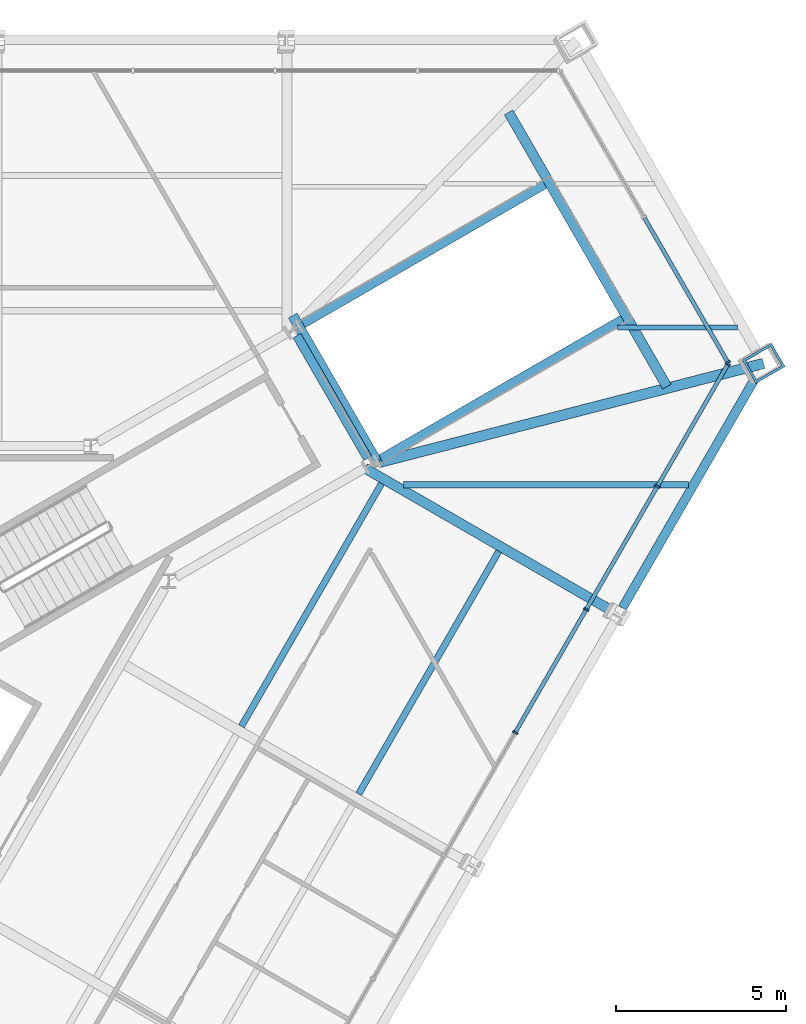
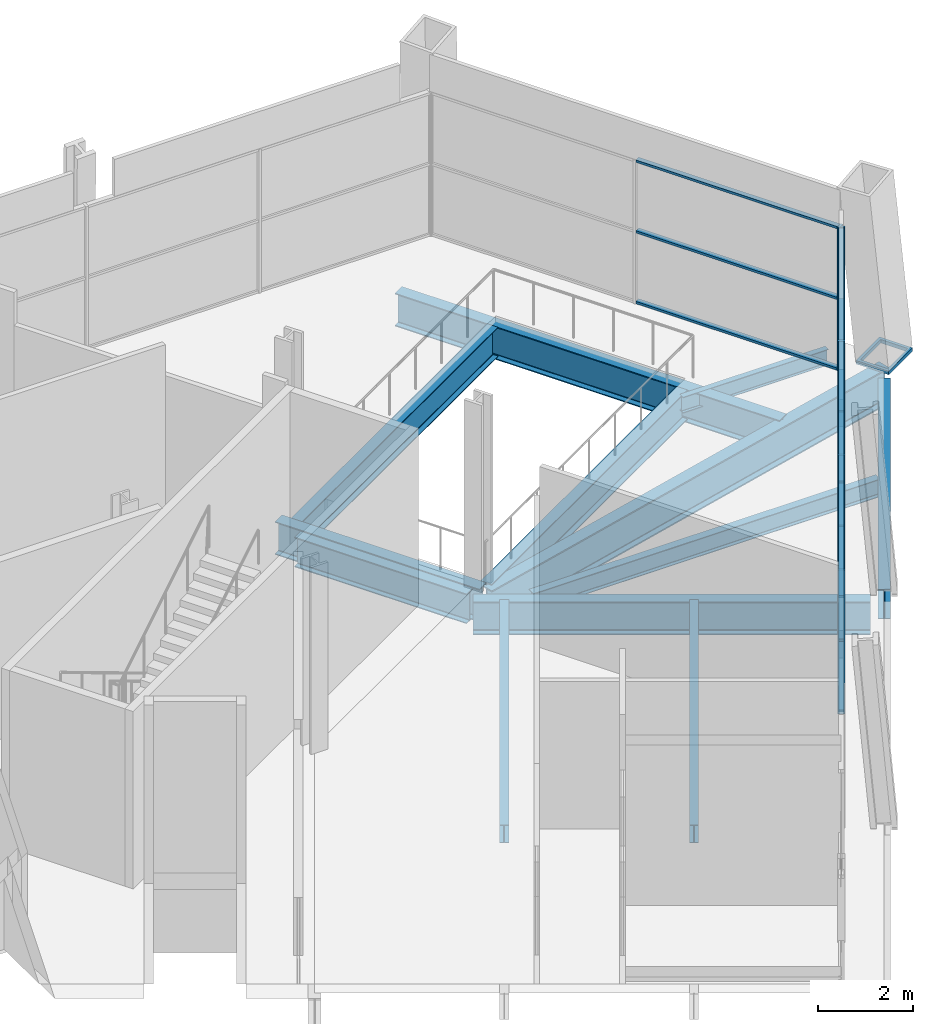
# One storey, part 9 of 18: 18 members, 12 beams, 2 elements without a shape of their own.
"""IFC4 building model written with IfcOpenShell, lengths in metres."""

from ifc_helpers import new_model, si_unit, direction, frame, origin, origin_2d, place, context, subcontext, project, spatial, rectangle, hollow_rectangle, i_section, extrude, material, layer, layer_set, material_profile, profile_set, type_object, element, aggregate, save


model = new_model("IFC4")

# Units and contexts
model_context = context("Model", 3, precision=1e-05, world=origin(), true_north=direction((0.0, 1.0)))
body_context = subcontext(model_context, "Body", "Model", "MODEL_VIEW")
ifc_project = project(units=[si_unit("LENGTHUNIT", "METRE"), si_unit("AREAUNIT", "SQUARE_METRE"), si_unit("VOLUMEUNIT", "CUBIC_METRE"), si_unit("PLANEANGLEUNIT", "RADIAN"), si_unit("MASSUNIT", "GRAM", prefix="KILO")], contexts=[model_context])

# Site, building, storey
site_placement = place(None, origin())
site = spatial("IfcSite", under=ifc_project, at=site_placement, CompositionType="ELEMENT")
building_placement = place(site_placement, origin())
building = spatial("IfcBuilding", under=site, at=building_placement, Name="Verrane Prism Tower", CompositionType="ELEMENT")
storey_placement = place(building_placement, frame((0.0, 0.0, 32.0)))
storey = spatial("IfcBuildingStorey", under=building, at=storey_placement, Name="L05", CompositionType="ELEMENT", Elevation=32.0)

# Curtain wall, member
ifc_material_1 = material(Name="Aluminium and glass curtain wall", Category="aluminium")
ifc_layer = layer(ifc_material_1, 0.199951171875)
ifc_layer_set = layer_set([ifc_layer], Name="CWB-1 retail curtain wall")
curtain_wall_type = type_object("IfcCurtainWallType", Name="CWB-1 retail curtain wall", PredefinedType="NOTDEFINED", material=ifc_layer_set)
curtain_wall_1_placement = place(storey_placement, origin())
curtain_wall_1 = element("IfcCurtainWall", 1, at=curtain_wall_1_placement, inside=storey, type_object=curtain_wall_type, Name="Retail curtain wall L05 1", PredefinedType="NOTDEFINED")
ifc_material_2 = material(Name="Aluminium", Category="aluminium")
ifc_material_profile_1 = material_profile(ifc_material_2, rectangle(XDim=0.159912109375, YDim=0.06005859375, at=origin_2d()), Name="CWB-M 60x160 mullion")
ifc_profile_set_1 = profile_set([ifc_material_profile_1], Name="Aluminium")
member_type_1 = type_object("IfcMemberType", Name="CWB-M 60x160 mullion", PredefinedType="MULLION", material=ifc_profile_set_1)
member_1_placement = place(storey_placement, frame((30.11328125, 11.669677734375, 0.0), z_axis=(0.0, 0.0, 1.0), x_axis=(-0.866025871, -0.499999190758, 0.0)))
member_1 = element("IfcMember", 2, at=member_1_placement, type_object=member_type_1, Name="CWB51 mullion 1", PredefinedType="MULLION", context=body_context, shape_type="SweptSolid", body=[
    extrude(rectangle(XDim=0.159912109375, YDim=0.06005859375, at=origin_2d()), origin(), (0.0, 0.0, 1.0), 3.68994140625),
])

# Curtain wall, members
curtain_wall_2_placement = place(storey_placement, origin())
curtain_wall_2 = element("IfcCurtainWall", 3, at=curtain_wall_2_placement, inside=storey, type_object=curtain_wall_type, Name="Retail curtain wall L05 6", PredefinedType="NOTDEFINED")
member_2_placement = place(storey_placement, frame((23.84130859375, 0.75439453125, 0.0), z_axis=(0.0, 0.0, 1.0), x_axis=(-0.866025335097, 0.50000011897, 0.0)))
member_2 = element("IfcMember", 4, at=member_2_placement, type_object=member_type_1, Name="CWB56 mullion 10", PredefinedType="MULLION", context=body_context, shape_type="SweptSolid", body=[
    extrude(rectangle(XDim=0.159912109375, YDim=0.06005859375, at=origin_2d()), origin(), (0.0, 0.0, 1.0), 3.68994140625),
])
member_3_placement = place(storey_placement, frame((25.93701171875, 4.384033203125, 0.0), z_axis=(0.0, 0.0, 1.0), x_axis=(-0.866025335097, 0.50000011897, 0.0)))
member_3 = element("IfcMember", 5, at=member_3_placement, type_object=member_type_1, Name="CWB56 mullion 11", PredefinedType="MULLION", context=body_context, shape_type="SweptSolid", body=[
    extrude(rectangle(XDim=0.159912109375, YDim=0.06005859375, at=origin_2d()), origin(), (0.0, 0.0, 1.0), 3.68994140625),
])
member_4_placement = place(storey_placement, frame((28.03271484375, 8.013916015625, 0.0), z_axis=(0.0, 0.0, 1.0), x_axis=(-0.866025335097, 0.50000011897, 0.0)))
member_4 = element("IfcMember", 6, at=member_4_placement, type_object=member_type_1, Name="CWB56 mullion 12", PredefinedType="MULLION", context=body_context, shape_type="SweptSolid", body=[
    extrude(rectangle(XDim=0.159912109375, YDim=0.06005859375, at=origin_2d()), origin(), (0.0, 0.0, 1.0), 3.68994140625),
])
member_5_placement = place(storey_placement, frame((30.11328125, 11.61767578125, 0.0), z_axis=(0.0, 0.0, 1.0), x_axis=(-0.866025335097, 0.50000011897, 0.0)))
member_5 = element("IfcMember", 7, at=member_5_placement, type_object=member_type_1, Name="CWB56 mullion 13", PredefinedType="MULLION", context=body_context, shape_type="SweptSolid", body=[
    extrude(rectangle(XDim=0.159912109375, YDim=0.06005859375, at=origin_2d()), origin(), (0.0, 0.0, 1.0), 3.68994140625),
])

# Member
ifc_material_3 = material(Name="Aluminium", Category="aluminium")
ifc_material_profile_2 = material_profile(ifc_material_3, rectangle(XDim=0.1201171875, YDim=0.06005859375, at=origin_2d()), Name="CWB-T 60x120 transom")
ifc_profile_set_2 = profile_set([ifc_material_profile_2], Name="Aluminium")
member_type_2 = type_object("IfcMemberType", Name="CWB-T 60x120 transom", PredefinedType="USERDEFINED", material=ifc_profile_set_2)
member_6_placement = place(storey_placement, frame((30.098388671875, 11.695556640625, 0.030029296875), z_axis=(-0.500004774777, 0.866022647048, 0.0), x_axis=(-0.866022647048, -0.500004774777, 0.0)))
member_6 = element("IfcMember", 8, at=member_6_placement, type_object=member_type_2, Name="CWB51 transom 1.1", ObjectType="TRANSOM", PredefinedType="USERDEFINED", context=body_context, shape_type="SweptSolid", body=[
    extrude(rectangle(XDim=0.1201171875, YDim=0.06005859375, at=origin_2d()), origin(), (0.0, 0.0, 1.0), 4.890625),
])

member_7_placement = place(storey_placement, frame((30.098388671875, 11.695556640625, 1.844970703125), z_axis=(-0.500004774777, 0.866022647048, 0.0), x_axis=(-0.866022647048, -0.500004774777, 0.0)))
member_7 = element("IfcMember", 9, at=member_7_placement, type_object=member_type_2, Name="CWB51 transom 1.2", ObjectType="TRANSOM", PredefinedType="USERDEFINED", context=body_context, shape_type="SweptSolid", body=[
    extrude(rectangle(XDim=0.1201171875, YDim=0.06005859375, at=origin_2d()), origin(), (0.0, 0.0, 1.0), 4.890625),
])

member_8_placement = place(storey_placement, frame((30.098388671875, 11.695556640625, 3.659912109375), z_axis=(-0.500004774777, 0.866022647048, 0.0), x_axis=(-0.866022647048, -0.500004774777, 0.0)))
member_8 = element("IfcMember", 10, at=member_8_placement, type_object=member_type_2, Name="CWB51 transom 1.3", ObjectType="TRANSOM", PredefinedType="USERDEFINED", context=body_context, shape_type="SweptSolid", body=[
    extrude(rectangle(XDim=0.1201171875, YDim=0.06005859375, at=origin_2d()), origin(), (0.0, 0.0, 1.0), 4.890625),
])

aggregate(curtain_wall_1, [member_1, member_6, member_7, member_8])

member_9_placement = place(storey_placement, frame((23.856201171875, 0.7802734375, 0.030029296875), z_axis=(0.499996977546, 0.866027148792, 0.0), x_axis=(-0.866027148792, 0.499996977546, 0.0)))
member_9 = element("IfcMember", 11, at=member_9_placement, type_object=member_type_2, Name="CWB56 transom 10.1", ObjectType="TRANSOM", PredefinedType="USERDEFINED", context=body_context, shape_type="SweptSolid", body=[
    extrude(rectangle(XDim=0.1201171875, YDim=0.06005859375, at=origin_2d()), origin(), (0.0, 0.0, 1.0), 4.13134765625),
])

member_10_placement = place(storey_placement, frame((23.856201171875, 0.7802734375, 1.844970703125), z_axis=(0.499996977546, 0.866027148792, 0.0), x_axis=(-0.866027148792, 0.499996977546, 0.0)))
member_10 = element("IfcMember", 12, at=member_10_placement, type_object=member_type_2, Name="CWB56 transom 10.2", ObjectType="TRANSOM", PredefinedType="USERDEFINED", context=body_context, shape_type="SweptSolid", body=[
    extrude(rectangle(XDim=0.1201171875, YDim=0.06005859375, at=origin_2d()), origin(), (0.0, 0.0, 1.0), 4.13134765625),
])

member_11_placement = place(storey_placement, frame((23.856201171875, 0.7802734375, 3.659912109375), z_axis=(0.499996977546, 0.866027148792, 0.0), x_axis=(-0.866027148792, 0.499996977546, 0.0)))
member_11 = element("IfcMember", 13, at=member_11_placement, type_object=member_type_2, Name="CWB56 transom 10.3", ObjectType="TRANSOM", PredefinedType="USERDEFINED", context=body_context, shape_type="SweptSolid", body=[
    extrude(rectangle(XDim=0.1201171875, YDim=0.06005859375, at=origin_2d()), origin(), (0.0, 0.0, 1.0), 4.13134765625),
])

member_12_placement = place(storey_placement, frame((25.951904296875, 4.41015625, 0.030029296875), z_axis=(0.499996977546, 0.866027148792, 0.0), x_axis=(-0.866027148792, 0.499996977546, 0.0)))
member_12 = element("IfcMember", 14, at=member_12_placement, type_object=member_type_2, Name="CWB56 transom 11.1", ObjectType="TRANSOM", PredefinedType="USERDEFINED", context=body_context, shape_type="SweptSolid", body=[
    extrude(rectangle(XDim=0.1201171875, YDim=0.06005859375, at=origin_2d()), origin(), (0.0, 0.0, 1.0), 4.13134765625),
])

member_13_placement = place(storey_placement, frame((25.951904296875, 4.41015625, 1.844970703125), z_axis=(0.499996977546, 0.866027148792, 0.0), x_axis=(-0.866027148792, 0.499996977546, 0.0)))
member_13 = element("IfcMember", 15, at=member_13_placement, type_object=member_type_2, Name="CWB56 transom 11.2", ObjectType="TRANSOM", PredefinedType="USERDEFINED", context=body_context, shape_type="SweptSolid", body=[
    extrude(rectangle(XDim=0.1201171875, YDim=0.06005859375, at=origin_2d()), origin(), (0.0, 0.0, 1.0), 4.13134765625),
])

member_14_placement = place(storey_placement, frame((25.951904296875, 4.41015625, 3.659912109375), z_axis=(0.499996977546, 0.866027148792, 0.0), x_axis=(-0.866027148792, 0.499996977546, 0.0)))
member_14 = element("IfcMember", 16, at=member_14_placement, type_object=member_type_2, Name="CWB56 transom 11.3", ObjectType="TRANSOM", PredefinedType="USERDEFINED", context=body_context, shape_type="SweptSolid", body=[
    extrude(rectangle(XDim=0.1201171875, YDim=0.06005859375, at=origin_2d()), origin(), (0.0, 0.0, 1.0), 4.13134765625),
])

member_15_placement = place(storey_placement, frame((28.047607421875, 8.039794921875, 0.030029296875), z_axis=(0.500005845305, 0.86602202897, 0.0), x_axis=(-0.86602202897, 0.500005845305, 0.0)))
member_15 = element("IfcMember", 17, at=member_15_placement, type_object=member_type_2, Name="CWB56 transom 12.1", ObjectType="TRANSOM", PredefinedType="USERDEFINED", context=body_context, shape_type="SweptSolid", body=[
    extrude(rectangle(XDim=0.1201171875, YDim=0.06005859375, at=origin_2d()), origin(), (0.0, 0.0, 1.0), 4.1015625),
])

member_16_placement = place(storey_placement, frame((28.047607421875, 8.039794921875, 1.844970703125), z_axis=(0.500005845305, 0.86602202897, 0.0), x_axis=(-0.86602202897, 0.500005845305, 0.0)))
member_16 = element("IfcMember", 18, at=member_16_placement, type_object=member_type_2, Name="CWB56 transom 12.2", ObjectType="TRANSOM", PredefinedType="USERDEFINED", context=body_context, shape_type="SweptSolid", body=[
    extrude(rectangle(XDim=0.1201171875, YDim=0.06005859375, at=origin_2d()), origin(), (0.0, 0.0, 1.0), 4.1015625),
])

member_17_placement = place(storey_placement, frame((28.047607421875, 8.039794921875, 3.659912109375), z_axis=(0.500005845305, 0.86602202897, 0.0), x_axis=(-0.86602202897, 0.500005845305, 0.0)))
member_17 = element("IfcMember", 19, at=member_17_placement, type_object=member_type_2, Name="CWB56 transom 12.3", ObjectType="TRANSOM", PredefinedType="USERDEFINED", context=body_context, shape_type="SweptSolid", body=[
    extrude(rectangle(XDim=0.1201171875, YDim=0.06005859375, at=origin_2d()), origin(), (0.0, 0.0, 1.0), 4.1015625),
])

aggregate(curtain_wall_2, [member_2, member_3, member_4, member_5, member_9, member_10, member_11, member_12, member_13, member_14, member_15, member_16, member_17])

# Beams
ifc_material_4 = material(Name="Steel A992", Category="steel")
ifc_material_profile_3 = material_profile(ifc_material_4, i_section(OverallWidth=0.2666015625, OverallDepth=0.76708984375, WebThickness=0.014892578125, FlangeThickness=0.023681640625, FilletRadius=0.0166015625, at=origin_2d()), Name="W30x124")
ifc_profile_set_3 = profile_set([ifc_material_profile_3], Name="Steel A992")
beam_type_1 = type_object("IfcBeamType", Name="Core ring girder W30x124", PredefinedType="BEAM", material=ifc_profile_set_3)
beam_1_placement = place(storey_placement, frame((19.493896484375, 8.843505859375, -0.633544921875), z_axis=(-0.500367275473, 0.865813253326, 0.0), x_axis=(-0.865813253326, -0.500367275473, 0.0)))
element("IfcBeam", 20, at=beam_1_placement, inside=storey, type_object=beam_type_1, Name="Core ring girder L05", PredefinedType="BEAM", context=body_context, shape_type="SweptSolid", body=[
    extrude(i_section(OverallWidth=0.2666015625, OverallDepth=0.76708984375, WebThickness=0.014892578125, FlangeThickness=0.023681640625, FilletRadius=0.0166015625, at=origin_2d()), origin(), (0.0, 0.0, 1.0), 4.172607421875),
])
ifc_material_5 = material(Name="Steel A992", Category="steel")
ifc_material_profile_4 = material_profile(ifc_material_5, i_section(OverallWidth=0.307373046875, OverallDepth=0.927001953125, WebThickness=0.01953125, FlangeThickness=0.031982421875, FilletRadius=0.01904296875, at=origin_2d()), Name="W36x194")
ifc_profile_set_4 = profile_set([ifc_material_profile_4], Name="Steel A992")
beam_type_2 = type_object("IfcBeamType", Name="Corner girder W36x194", PredefinedType="BEAM", material=ifc_profile_set_4)
beam_2_placement = place(storey_placement, frame((31.16455078125, 11.638671875, -0.68359375), z_axis=(-0.968392733058, -0.249430380188, 0.0), x_axis=(0.249430380188, -0.968392733058, 0.0)))
element("IfcBeam", 21, at=beam_2_placement, inside=storey, type_object=beam_type_2, Name="Corner girder L05", PredefinedType="BEAM", context=body_context, shape_type="SweptSolid", body=[
    extrude(i_section(OverallWidth=0.307373046875, OverallDepth=0.927001953125, WebThickness=0.01953125, FlangeThickness=0.031982421875, FilletRadius=0.01904296875, at=origin_2d()), origin(), (0.0, 0.0, 1.0), 11.695556640625),
])
ifc_material_6 = material(Name="Steel A992", Category="steel")
ifc_material_profile_5 = material_profile(ifc_material_6, i_section(OverallWidth=0.140380859375, OverallDepth=0.40380859375, WebThickness=0.007080078125, FlangeThickness=0.01123046875, FilletRadius=0.01025390625, at=origin_2d()), Name="W16x31")
ifc_profile_set_5 = profile_set([ifc_material_profile_5], Name="Steel A992")
beam_type_3 = type_object("IfcBeamType", Name="Floor beam W16x31", PredefinedType="BEAM", material=ifc_profile_set_5)
beam_3_placement = place(storey_placement, frame((26.860595703125, 12.699951171875, -0.36181640625), z_axis=(1.0, 0.0, 0.0), x_axis=(0.0, 1.0, 0.0)))
element("IfcBeam", 22, at=beam_3_placement, inside=storey, type_object=beam_type_3, Name="Floor beam L05", PredefinedType="BEAM", context=body_context, shape_type="SweptSolid", body=[
    extrude(i_section(OverallWidth=0.140380859375, OverallDepth=0.40380859375, WebThickness=0.007080078125, FlangeThickness=0.01123046875, FilletRadius=0.01025390625, at=origin_2d()), origin(), (0.0, 0.0, 1.0), 3.529052734375),
])
ifc_material_7 = material(Name="Steel A992", Category="steel")
ifc_material_profile_6 = material_profile(ifc_material_7, i_section(OverallWidth=0.1904296875, OverallDepth=0.457275390625, WebThickness=0.009033203125, FlangeThickness=0.014404296875, FilletRadius=0.01025390625, at=origin_2d()), Name="W18x50")
ifc_profile_set_6 = profile_set([ifc_material_profile_6], Name="Steel A992")
beam_type_4 = type_object("IfcBeamType", Name="Floor beam W18x50", PredefinedType="BEAM", material=ifc_profile_set_6)
beam_4_placement = place(storey_placement, frame((19.226806640625, -1.05712890625, -0.388671875), z_axis=(0.500005423512, 0.866022272496, 0.0), x_axis=(-0.866022272496, 0.500005423512, 0.0)))
element("IfcBeam", 23, at=beam_4_placement, inside=storey, type_object=beam_type_4, Name="Floor beam L05", PredefinedType="BEAM", context=body_context, shape_type="SweptSolid", body=[
    extrude(i_section(OverallWidth=0.1904296875, OverallDepth=0.457275390625, WebThickness=0.009033203125, FlangeThickness=0.014404296875, FilletRadius=0.01025390625, at=origin_2d()), origin(), (0.0, 0.0, 1.0), 8.26513671875),
])
beam_5_placement = place(storey_placement, frame((15.769287109375, 0.93994140625, -0.388671875), z_axis=(0.500018214608, 0.86601488732, 0.0), x_axis=(-0.86601488732, 0.500018214608, 0.0)))
element("IfcBeam", 24, at=beam_5_placement, inside=storey, type_object=beam_type_4, Name="Floor beam L05", PredefinedType="BEAM", context=body_context, shape_type="SweptSolid", body=[
    extrude(i_section(OverallWidth=0.1904296875, OverallDepth=0.457275390625, WebThickness=0.009033203125, FlangeThickness=0.014404296875, FilletRadius=0.01025390625, at=origin_2d()), origin(), (0.0, 0.0, 1.0), 8.264892578125),
])
beam_6_placement = place(storey_placement, frame((20.541748046875, 8.06494140625, -0.388671875), z_axis=(1.0, 0.0, 0.0), x_axis=(0.0, 1.0, 0.0)))
element("IfcBeam", 25, at=beam_6_placement, inside=storey, type_object=beam_type_4, Name="Floor beam L05", PredefinedType="BEAM", context=body_context, shape_type="SweptSolid", body=[
    extrude(i_section(OverallWidth=0.1904296875, OverallDepth=0.457275390625, WebThickness=0.009033203125, FlangeThickness=0.014404296875, FilletRadius=0.01025390625, at=origin_2d()), origin(), (0.0, 0.0, 1.0), 8.4091796875),
])

# Member
ifc_material_8 = material(Name="Steel A572 Grade 50", Category="steel")
ifc_material_profile_7 = material_profile(ifc_material_8, hollow_rectangle(XDim=0.800048828125, YDim=1.0, WallThickness=0.074951171875, at=origin_2d()), Name="BOX 1000x800x75")
ifc_profile_set_7 = profile_set([ifc_material_profile_7], Name="Steel A572 Grade 50")
member_type_3 = type_object("IfcMemberType", Name="Kink node BOX 1000x800x75", PredefinedType="COLLAR", material=ifc_profile_set_7)
member_18_placement = place(storey_placement, frame((31.167724609375, 11.6396484375, -0.044921875), z_axis=(0.0, 0.0, 1.0), x_axis=(0.5, -0.866025403784, 0.0)))
element("IfcMember", 26, at=member_18_placement, inside=storey, type_object=member_type_3, Name="Kink node MC2 L05", PredefinedType="COLLAR", context=body_context, shape_type="SweptSolid", body=[
    extrude(hollow_rectangle(XDim=0.800048828125, YDim=1.0, WallThickness=0.074951171875, at=origin_2d()), origin(), (0.0, 0.0, 1.0), 0.08984375),
])

# Beams
ifc_material_9 = material(Name="Steel A992", Category="steel")
ifc_material_profile_8 = material_profile(ifc_material_9, i_section(OverallWidth=0.2919921875, OverallDepth=0.845703125, WebThickness=0.015380859375, FlangeThickness=0.0244140625, FilletRadius=0.017822265625, at=origin_2d()), Name="W33x141")
ifc_profile_set_8 = profile_set([ifc_material_profile_8], Name="Steel A992")
beam_type_5 = type_object("IfcBeamType", Name="Radial girder W33x141", PredefinedType="BEAM", material=ifc_profile_set_8)
beam_7_placement = place(storey_placement, frame((26.6435546875, 4.372314453125, -0.642822265625), z_axis=(-0.866029865125, 0.499992272651, 0.0), x_axis=(-0.499992272651, -0.866029865125, 0.0)))
element("IfcBeam", 27, at=beam_7_placement, inside=storey, type_object=beam_type_5, Name="Radial girder L05", PredefinedType="BEAM", context=body_context, shape_type="SweptSolid", body=[
    extrude(i_section(OverallWidth=0.2919921875, OverallDepth=0.845703125, WebThickness=0.015380859375, FlangeThickness=0.0244140625, FilletRadius=0.017822265625, at=origin_2d()), origin(), (0.0, 0.0, 1.0), 8.354736328125),
])
ifc_material_10 = material(Name="Steel A992", Category="steel")
ifc_material_profile_9 = material_profile(ifc_material_10, i_section(OverallWidth=0.2666015625, OverallDepth=0.76708984375, WebThickness=0.014892578125, FlangeThickness=0.023681640625, FilletRadius=0.0166015625, at=origin_2d()), Name="W30x124")
ifc_profile_set_9 = profile_set([ifc_material_profile_9], Name="Steel A992")
beam_type_6 = type_object("IfcBeamType", Name="Slab edge girder W30x124", PredefinedType="BEAM", material=ifc_profile_set_9)
beam_8_placement = place(storey_placement, frame((19.882080078125, 8.822998046875, -0.54345703125), z_axis=(0.86602750728, 0.499996356621, 0.0), x_axis=(-0.499996356621, 0.86602750728, 0.0)))
element("IfcBeam", 28, at=beam_8_placement, inside=storey, type_object=beam_type_6, Name="Slab edge girder L05", PredefinedType="BEAM", context=body_context, shape_type="SweptSolid", body=[
    extrude(i_section(OverallWidth=0.2666015625, OverallDepth=0.76708984375, WebThickness=0.014892578125, FlangeThickness=0.023681640625, FilletRadius=0.0166015625, at=origin_2d()), origin(), (0.0, 0.0, 1.0), 8.22998046875),
])
beam_9_placement = place(storey_placement, frame((24.709716796875, 16.921875, -0.54345703125), z_axis=(-0.866034923029, -0.499983511822, 0.0), x_axis=(0.499983511822, -0.866034923029, 0.0)))
element("IfcBeam", 29, at=beam_9_placement, inside=storey, type_object=beam_type_6, Name="Slab edge girder L05", PredefinedType="BEAM", context=body_context, shape_type="SweptSolid", body=[
    extrude(i_section(OverallWidth=0.2666015625, OverallDepth=0.76708984375, WebThickness=0.014892578125, FlangeThickness=0.023681640625, FilletRadius=0.0166015625, at=origin_2d()), origin(), (0.0, 0.0, 1.0), 8.230224609375),
])
ifc_material_11 = material(Name="Steel A992", Category="steel")
ifc_material_profile_10 = material_profile(ifc_material_11, i_section(OverallWidth=0.2919921875, OverallDepth=0.845703125, WebThickness=0.015380859375, FlangeThickness=0.0244140625, FilletRadius=0.017822265625, at=origin_2d()), Name="W33x141")
ifc_profile_set_10 = profile_set([ifc_material_profile_10], Name="Steel A992")
beam_type_7 = type_object("IfcBeamType", Name="Slab edge girder W33x141", PredefinedType="BEAM", material=ifc_profile_set_10)
beam_10_placement = place(storey_placement, frame((28.31640625, 10.95458984375, -0.5830078125), z_axis=(-0.500003119808, 0.866023602555, 0.0), x_axis=(-0.866023602555, -0.500003119808, 0.0)))
element("IfcBeam", 30, at=beam_10_placement, inside=storey, type_object=beam_type_7, Name="Slab edge girder L05", PredefinedType="BEAM", context=body_context, shape_type="SweptSolid", body=[
    extrude(i_section(OverallWidth=0.2919921875, OverallDepth=0.845703125, WebThickness=0.015380859375, FlangeThickness=0.0244140625, FilletRadius=0.017822265625, at=origin_2d()), origin(), (0.0, 0.0, 1.0), 9.3369140625),
])
beam_11_placement = place(storey_placement, frame((17.281005859375, 13.048583984375, -0.5830078125), z_axis=(0.500002137087, -0.866024169933, 0.0), x_axis=(0.866024169933, 0.500002137087, 0.0)))
element("IfcBeam", 31, at=beam_11_placement, inside=storey, type_object=beam_type_7, Name="Slab edge girder L05", PredefinedType="BEAM", context=body_context, shape_type="SweptSolid", body=[
    extrude(i_section(OverallWidth=0.2919921875, OverallDepth=0.845703125, WebThickness=0.015380859375, FlangeThickness=0.0244140625, FilletRadius=0.017822265625, at=origin_2d()), origin(), (0.0, 0.0, 1.0), 4.9619140625),
])
ifc_material_12 = material(Name="Steel A992", Category="steel")
ifc_material_profile_11 = material_profile(ifc_material_12, i_section(OverallWidth=0.2666015625, OverallDepth=0.76708984375, WebThickness=0.014892578125, FlangeThickness=0.023681640625, FilletRadius=0.0166015625, at=origin_2d()), Name="W30x124")
ifc_profile_set_11 = profile_set([ifc_material_profile_11], Name="Steel A992")
beam_type_8 = type_object("IfcBeamType", Name="Spandrel beam W30x124", PredefinedType="SPANDREL", material=ifc_profile_set_11)
beam_12_placement = place(storey_placement, frame((27.003662109375, 4.427001953125, -0.54345703125), z_axis=(0.500179482495, 0.865921754716, 0.0), x_axis=(-0.865921754716, 0.500179482495, 0.0)))
element("IfcBeam", 32, at=beam_12_placement, inside=storey, type_object=beam_type_8, Name="Spandrel beam L05", PredefinedType="SPANDREL", context=body_context, shape_type="SweptSolid", body=[
    extrude(i_section(OverallWidth=0.2666015625, OverallDepth=0.76708984375, WebThickness=0.014892578125, FlangeThickness=0.023681640625, FilletRadius=0.0166015625, at=origin_2d()), origin(), (0.0, 0.0, 1.0), 7.752685546875),
])

save(model, "model.ifc")
